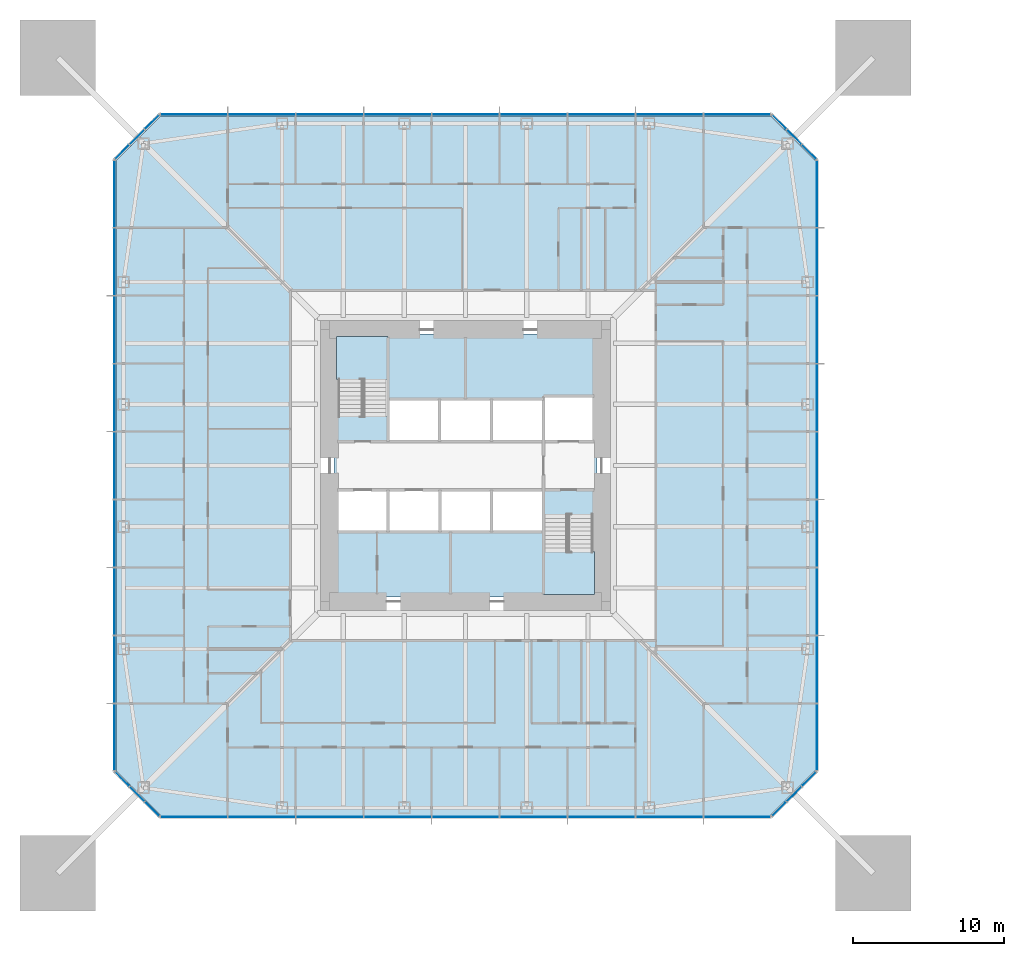
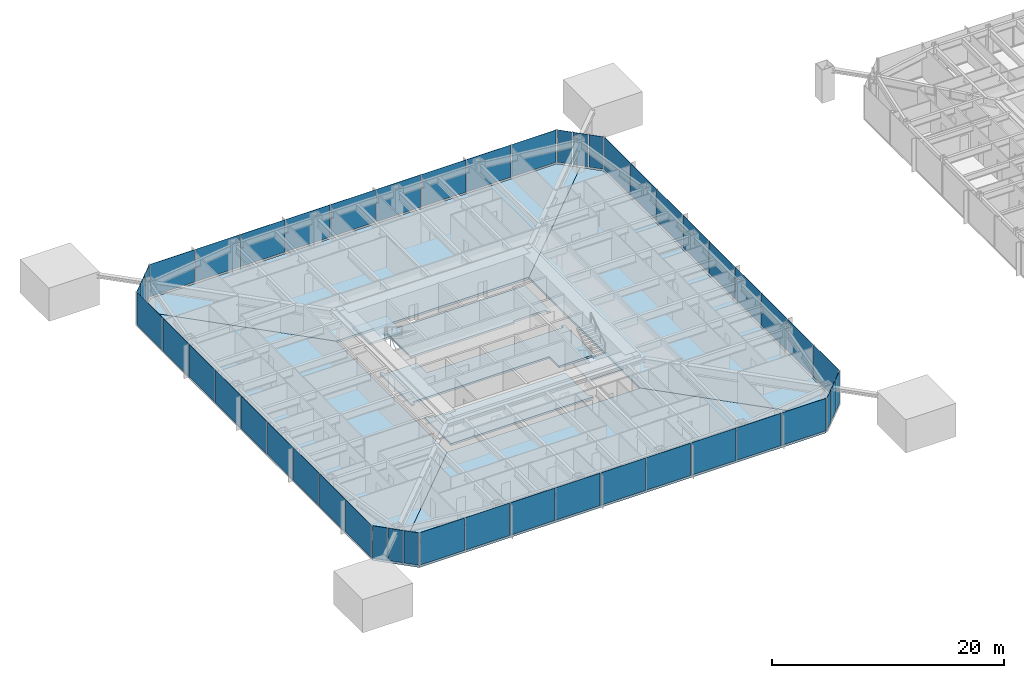
# One storey, part 12 of 26: 48 plates, 9 slabs, 10 elements without a shape of their own.
"""IFC4 building model written with IfcOpenShell, lengths in metres."""

from ifc_helpers import new_model, si_unit, direction, frame, origin, origin_2d, place, context, subcontext, project, spatial, polyline, rectangle, outline, extrude, material, layer, layer_set, constituent, constituent_set, type_object, element, aggregate, save


model = new_model("IFC4")

# Units and contexts
model_context = context("Model", 3, precision=1e-05, world=origin(), true_north=direction((0.0, 1.0)))
body_context = subcontext(model_context, "Body", "Model", "MODEL_VIEW")
ifc_project = project(units=[si_unit("LENGTHUNIT", "METRE"), si_unit("AREAUNIT", "SQUARE_METRE"), si_unit("VOLUMEUNIT", "CUBIC_METRE"), si_unit("PLANEANGLEUNIT", "RADIAN"), si_unit("MASSUNIT", "GRAM", prefix="KILO")], contexts=[model_context])

# Site, building, storey
site_placement = place(None, origin())
site = spatial("IfcSite", under=ifc_project, at=site_placement, CompositionType="ELEMENT")
building_placement = place(site_placement, origin())
building = spatial("IfcBuilding", under=site, at=building_placement, Name="Iwan Alto Co-Living Towers", CompositionType="ELEMENT")
storey_placement = place(building_placement, frame((0.0, 0.0, 32.5)))
storey = spatial("IfcBuildingStorey", under=building, at=storey_placement, Name="L08", CompositionType="ELEMENT", Elevation=32.5)

# Slabs
ifc_material_1 = material(Name="Concrete f'c 30 MPa", Category="concrete")
ifc_layer_1 = layer(ifc_material_1, 0.199951171875)
ifc_layer_set_1 = layer_set([ifc_layer_1], Name="CORE FLOOR SLAB 200")
slab_type_1 = type_object("IfcSlabType", Name="CORE FLOOR SLAB 200", PredefinedType="FLOOR", material=ifc_layer_set_1)
slab_1_placement = place(storey_placement, frame((0.0, 0.0, -0.199951171875)))
element("IfcSlab", 1, at=slab_1_placement, inside=storey, type_object=slab_type_1, Name="T1 core floor L08", PredefinedType="FLOOR", context=body_context, shape_type="SweptSolid", body=[
    extrude(outline(polyline([(8.699951171875, -3.580078125), (8.39990234375, -3.580078125), (8.39990234375, -3.27001953125), (5.14990234375, -3.27001953125), (5.14990234375, -1.60009765625), (1.72509765625, -1.60009765625), (-1.699951171875, -1.60009765625), (-5.125, -1.60009765625), (-8.39990234375, -1.60009765625), (-8.39990234375, -1.909912109375), (-8.699951171875, -1.909912109375), (-8.699951171875, 3.580078125), (-8.39990234375, 3.580078125), (-8.39990234375, 3.27001953125), (-5.14990234375, 3.27001953125), (-5.14990234375, 1.60009765625), (-1.717041015625, 1.60009765625), (1.717041015625, 1.60009765625), (5.14990234375, 1.60009765625), (8.39990234375, 1.60009765625), (8.39990234375, 1.909912109375), (8.699951171875, 1.909912109375), (8.699951171875, -3.580078125)])), origin(), (0.0, 0.0, 1.0), 0.199951171875),
])
slab_2_placement = place(storey_placement, frame((0.0, 0.0, -0.199951171875)))
element("IfcSlab", 2, at=slab_2_placement, inside=storey, type_object=slab_type_1, Name="T1 core floor L08", PredefinedType="FLOOR", context=body_context, shape_type="SweptSolid", body=[
    extrude(outline(polyline([(-1.699951171875, -4.39990234375), (1.72509765625, -4.39990234375), (5.14990234375, -4.39990234375), (5.14990234375, -8.39990234375), (5.4599609375, -8.39990234375), (5.4599609375, -8.699951171875), (-8.699951171875, -8.699951171875), (-8.699951171875, -4.090087890625), (-8.39990234375, -4.090087890625), (-8.39990234375, -4.39990234375), (-5.125, -4.39990234375), (-1.699951171875, -4.39990234375)])), origin(), (0.0, 0.0, 1.0), 0.199951171875),
])
slab_3_placement = place(storey_placement, frame((0.0, 0.0, -0.199951171875)))
element("IfcSlab", 3, at=slab_3_placement, inside=storey, type_object=slab_type_1, Name="T1 core floor L08", PredefinedType="FLOOR", context=body_context, shape_type="SweptSolid", body=[
    extrude(outline(polyline([(1.717041015625, 4.39990234375), (-1.717041015625, 4.39990234375), (-5.14990234375, 4.39990234375), (-5.14990234375, 8.39990234375), (-5.4599609375, 8.39990234375), (-5.4599609375, 8.699951171875), (8.699951171875, 8.699951171875), (8.699951171875, 4.2900390625), (8.39990234375, 4.2900390625), (8.39990234375, 4.60009765625), (5.14990234375, 4.60009765625), (5.14990234375, 4.39990234375), (1.717041015625, 4.39990234375)])), origin(), (0.0, 0.0, 1.0), 0.199951171875),
])

# Curtain wall, plates
ifc_material_2 = material(Name="Bronze aluminium unitised frame", Category="aluminium")
curtain_wall_type_1 = type_object("IfcCurtainWallType", Name="CURTAIN WALL CW-A", PredefinedType="NOTDEFINED", material=ifc_material_2)
curtain_wall_1_placement = place(storey_placement, origin())
curtain_wall_1 = element("IfcCurtainWall", 4, at=curtain_wall_1_placement, inside=storey, type_object=curtain_wall_type_1, Name="T1 curtain wall S L08", PredefinedType="NOTDEFINED")
ifc_material_3 = material(Name="Bronze-tinted insulating glass", Category="glass")
ifc_layer_2 = layer(ifc_material_3, 0.031982421875)
ifc_layer_set_2 = layer_set([ifc_layer_2], Name="CW-A PANEL TINTED IGU 32")
plate_type_1 = type_object("IfcPlateType", Name="CW-A PANEL TINTED IGU 32", PredefinedType="CURTAIN_PANEL", material=ifc_layer_set_2)
plate_1_placement = place(storey_placement, frame((-17.97998046875, -23.25, 0.10009765625), z_axis=(0.0, 0.0, 1.0), x_axis=(1.0, 0.0, 0.0)))
plate_1 = element("IfcPlate", 5, at=plate_1_placement, type_object=plate_type_1, Name="CW-A panel 1.1", PredefinedType="CURTAIN_PANEL", context=body_context, shape_type="SweptSolid", body=[
    extrude(rectangle(XDim=4.3798828125, YDim=0.031982421875, at=origin_2d()), origin(), (0.0, 0.0, 1.0), 3.39990234375),
])
plate_2_placement = place(storey_placement, frame((-13.5, -23.25, 0.10009765625), z_axis=(0.0, 0.0, 1.0), x_axis=(1.0, 0.0, 0.0)))
plate_2 = element("IfcPlate", 6, at=plate_2_placement, type_object=plate_type_1, Name="CW-A panel 2.1", PredefinedType="CURTAIN_PANEL", context=body_context, shape_type="SweptSolid", body=[
    extrude(rectangle(XDim=4.419921875, YDim=0.031982421875, at=origin_2d()), origin(), (0.0, 0.0, 1.0), 3.39990234375),
])
plate_3_placement = place(storey_placement, frame((-9.0, -23.25, 0.10009765625), z_axis=(0.0, 0.0, 1.0), x_axis=(1.0, 0.0, 0.0)))
plate_3 = element("IfcPlate", 7, at=plate_3_placement, type_object=plate_type_1, Name="CW-A panel 3.1", PredefinedType="CURTAIN_PANEL", context=body_context, shape_type="SweptSolid", body=[
    extrude(rectangle(XDim=4.419921875, YDim=0.031982421875, at=origin_2d()), origin(), (0.0, 0.0, 1.0), 3.39990234375),
])
plate_4_placement = place(storey_placement, frame((-4.5, -23.25, 0.10009765625), z_axis=(0.0, 0.0, 1.0), x_axis=(1.0, 0.0, 0.0)))
plate_4 = element("IfcPlate", 8, at=plate_4_placement, type_object=plate_type_1, Name="CW-A panel 4.1", PredefinedType="CURTAIN_PANEL", context=body_context, shape_type="SweptSolid", body=[
    extrude(rectangle(XDim=4.419921875, YDim=0.031982421875, at=origin_2d()), origin(), (0.0, 0.0, 1.0), 3.39990234375),
])
plate_5_placement = place(storey_placement, frame((0.0, -23.25, 0.10009765625), z_axis=(0.0, 0.0, 1.0), x_axis=(1.0, 0.0, 0.0)))
plate_5 = element("IfcPlate", 9, at=plate_5_placement, type_object=plate_type_1, Name="CW-A panel 5.1", PredefinedType="CURTAIN_PANEL", context=body_context, shape_type="SweptSolid", body=[
    extrude(rectangle(XDim=4.419921875, YDim=0.031982421875, at=origin_2d()), origin(), (0.0, 0.0, 1.0), 3.39990234375),
])
plate_6_placement = place(storey_placement, frame((4.5, -23.25, 0.10009765625), z_axis=(0.0, 0.0, 1.0), x_axis=(1.0, 0.0, 0.0)))
plate_6 = element("IfcPlate", 10, at=plate_6_placement, type_object=plate_type_1, Name="CW-A panel 6.1", PredefinedType="CURTAIN_PANEL", context=body_context, shape_type="SweptSolid", body=[
    extrude(rectangle(XDim=4.419921875, YDim=0.031982421875, at=origin_2d()), origin(), (0.0, 0.0, 1.0), 3.39990234375),
])
plate_7_placement = place(storey_placement, frame((9.0, -23.25, 0.10009765625), z_axis=(0.0, 0.0, 1.0), x_axis=(1.0, 0.0, 0.0)))
plate_7 = element("IfcPlate", 11, at=plate_7_placement, type_object=plate_type_1, Name="CW-A panel 7.1", PredefinedType="CURTAIN_PANEL", context=body_context, shape_type="SweptSolid", body=[
    extrude(rectangle(XDim=4.419921875, YDim=0.031982421875, at=origin_2d()), origin(), (0.0, 0.0, 1.0), 3.39990234375),
])
plate_8_placement = place(storey_placement, frame((13.5, -23.25, 0.10009765625), z_axis=(0.0, 0.0, 1.0), x_axis=(1.0, 0.0, 0.0)))
plate_8 = element("IfcPlate", 12, at=plate_8_placement, type_object=plate_type_1, Name="CW-A panel 8.1", PredefinedType="CURTAIN_PANEL", context=body_context, shape_type="SweptSolid", body=[
    extrude(rectangle(XDim=4.419921875, YDim=0.031982421875, at=origin_2d()), origin(), (0.0, 0.0, 1.0), 3.39990234375),
])
plate_9_placement = place(storey_placement, frame((17.97998046875, -23.25, 0.10009765625), z_axis=(0.0, 0.0, 1.0), x_axis=(1.0, 0.0, 0.0)))
plate_9 = element("IfcPlate", 13, at=plate_9_placement, type_object=plate_type_1, Name="CW-A panel 9.1", PredefinedType="CURTAIN_PANEL", context=body_context, shape_type="SweptSolid", body=[
    extrude(rectangle(XDim=4.3798828125, YDim=0.031982421875, at=origin_2d()), origin(), (0.0, 0.0, 1.0), 3.39990234375),
])
aggregate(curtain_wall_1, [plate_1, plate_2, plate_3, plate_4, plate_5, plate_6, plate_7, plate_8, plate_9])

curtain_wall_2_placement = place(storey_placement, origin())
curtain_wall_2 = element("IfcCurtainWall", 14, at=curtain_wall_2_placement, inside=storey, type_object=curtain_wall_type_1, Name="T1 curtain wall E L08", PredefinedType="NOTDEFINED")
plate_10_placement = place(storey_placement, frame((23.25, -17.97998046875, 0.10009765625), z_axis=(0.0, 0.0, 1.0), x_axis=(0.0, 1.0, 0.0)))
plate_10 = element("IfcPlate", 15, at=plate_10_placement, type_object=plate_type_1, Name="CW-A panel 1.1", PredefinedType="CURTAIN_PANEL", context=body_context, shape_type="SweptSolid", body=[
    extrude(rectangle(XDim=4.3798828125, YDim=0.031982421875, at=origin_2d()), origin(), (0.0, 0.0, 1.0), 3.39990234375),
])
plate_11_placement = place(storey_placement, frame((23.25, -13.5, 0.10009765625), z_axis=(0.0, 0.0, 1.0), x_axis=(0.0, 1.0, 0.0)))
plate_11 = element("IfcPlate", 16, at=plate_11_placement, type_object=plate_type_1, Name="CW-A panel 2.1", PredefinedType="CURTAIN_PANEL", context=body_context, shape_type="SweptSolid", body=[
    extrude(rectangle(XDim=4.419921875, YDim=0.031982421875, at=origin_2d()), origin(), (0.0, 0.0, 1.0), 3.39990234375),
])
plate_12_placement = place(storey_placement, frame((23.25, -9.0, 0.10009765625), z_axis=(0.0, 0.0, 1.0), x_axis=(0.0, 1.0, 0.0)))
plate_12 = element("IfcPlate", 17, at=plate_12_placement, type_object=plate_type_1, Name="CW-A panel 3.1", PredefinedType="CURTAIN_PANEL", context=body_context, shape_type="SweptSolid", body=[
    extrude(rectangle(XDim=4.419921875, YDim=0.031982421875, at=origin_2d()), origin(), (0.0, 0.0, 1.0), 3.39990234375),
])
plate_13_placement = place(storey_placement, frame((23.25, -4.5, 0.10009765625), z_axis=(0.0, 0.0, 1.0), x_axis=(0.0, 1.0, 0.0)))
plate_13 = element("IfcPlate", 18, at=plate_13_placement, type_object=plate_type_1, Name="CW-A panel 4.1", PredefinedType="CURTAIN_PANEL", context=body_context, shape_type="SweptSolid", body=[
    extrude(rectangle(XDim=4.419921875, YDim=0.031982421875, at=origin_2d()), origin(), (0.0, 0.0, 1.0), 3.39990234375),
])
plate_14_placement = place(storey_placement, frame((23.25, 0.0, 0.10009765625), z_axis=(0.0, 0.0, 1.0), x_axis=(0.0, 1.0, 0.0)))
plate_14 = element("IfcPlate", 19, at=plate_14_placement, type_object=plate_type_1, Name="CW-A panel 5.1", PredefinedType="CURTAIN_PANEL", context=body_context, shape_type="SweptSolid", body=[
    extrude(rectangle(XDim=4.419921875, YDim=0.031982421875, at=origin_2d()), origin(), (0.0, 0.0, 1.0), 3.39990234375),
])
plate_15_placement = place(storey_placement, frame((23.25, 4.5, 0.10009765625), z_axis=(0.0, 0.0, 1.0), x_axis=(0.0, 1.0, 0.0)))
plate_15 = element("IfcPlate", 20, at=plate_15_placement, type_object=plate_type_1, Name="CW-A panel 6.1", PredefinedType="CURTAIN_PANEL", context=body_context, shape_type="SweptSolid", body=[
    extrude(rectangle(XDim=4.419921875, YDim=0.031982421875, at=origin_2d()), origin(), (0.0, 0.0, 1.0), 3.39990234375),
])
plate_16_placement = place(storey_placement, frame((23.25, 9.0, 0.10009765625), z_axis=(0.0, 0.0, 1.0), x_axis=(0.0, 1.0, 0.0)))
plate_16 = element("IfcPlate", 21, at=plate_16_placement, type_object=plate_type_1, Name="CW-A panel 7.1", PredefinedType="CURTAIN_PANEL", context=body_context, shape_type="SweptSolid", body=[
    extrude(rectangle(XDim=4.419921875, YDim=0.031982421875, at=origin_2d()), origin(), (0.0, 0.0, 1.0), 3.39990234375),
])
plate_17_placement = place(storey_placement, frame((23.25, 13.5, 0.10009765625), z_axis=(0.0, 0.0, 1.0), x_axis=(0.0, 1.0, 0.0)))
plate_17 = element("IfcPlate", 22, at=plate_17_placement, type_object=plate_type_1, Name="CW-A panel 8.1", PredefinedType="CURTAIN_PANEL", context=body_context, shape_type="SweptSolid", body=[
    extrude(rectangle(XDim=4.419921875, YDim=0.031982421875, at=origin_2d()), origin(), (0.0, 0.0, 1.0), 3.39990234375),
])
plate_18_placement = place(storey_placement, frame((23.25, 17.97998046875, 0.10009765625), z_axis=(0.0, 0.0, 1.0), x_axis=(0.0, 1.0, 0.0)))
plate_18 = element("IfcPlate", 23, at=plate_18_placement, type_object=plate_type_1, Name="CW-A panel 9.1", PredefinedType="CURTAIN_PANEL", context=body_context, shape_type="SweptSolid", body=[
    extrude(rectangle(XDim=4.3798828125, YDim=0.031982421875, at=origin_2d()), origin(), (0.0, 0.0, 1.0), 3.39990234375),
])
aggregate(curtain_wall_2, [plate_10, plate_11, plate_12, plate_13, plate_14, plate_15, plate_16, plate_17, plate_18])

curtain_wall_3_placement = place(storey_placement, origin())
curtain_wall_3 = element("IfcCurtainWall", 24, at=curtain_wall_3_placement, inside=storey, type_object=curtain_wall_type_1, Name="T1 curtain wall N L08", PredefinedType="NOTDEFINED")
plate_19_placement = place(storey_placement, frame((17.97998046875, 23.25, 0.10009765625), z_axis=(0.0, 0.0, 1.0), x_axis=(-1.0, 0.0, 0.0)))
plate_19 = element("IfcPlate", 25, at=plate_19_placement, type_object=plate_type_1, Name="CW-A panel 1.1", PredefinedType="CURTAIN_PANEL", context=body_context, shape_type="SweptSolid", body=[
    extrude(rectangle(XDim=4.3798828125, YDim=0.031982421875, at=origin_2d()), origin(), (0.0, 0.0, 1.0), 3.39990234375),
])
plate_20_placement = place(storey_placement, frame((13.5, 23.25, 0.10009765625), z_axis=(0.0, 0.0, 1.0), x_axis=(-1.0, 0.0, 0.0)))
plate_20 = element("IfcPlate", 26, at=plate_20_placement, type_object=plate_type_1, Name="CW-A panel 2.1", PredefinedType="CURTAIN_PANEL", context=body_context, shape_type="SweptSolid", body=[
    extrude(rectangle(XDim=4.419921875, YDim=0.031982421875, at=origin_2d()), origin(), (0.0, 0.0, 1.0), 3.39990234375),
])
plate_21_placement = place(storey_placement, frame((9.0, 23.25, 0.10009765625), z_axis=(0.0, 0.0, 1.0), x_axis=(-1.0, 0.0, 0.0)))
plate_21 = element("IfcPlate", 27, at=plate_21_placement, type_object=plate_type_1, Name="CW-A panel 3.1", PredefinedType="CURTAIN_PANEL", context=body_context, shape_type="SweptSolid", body=[
    extrude(rectangle(XDim=4.419921875, YDim=0.031982421875, at=origin_2d()), origin(), (0.0, 0.0, 1.0), 3.39990234375),
])
plate_22_placement = place(storey_placement, frame((4.5, 23.25, 0.10009765625), z_axis=(0.0, 0.0, 1.0), x_axis=(-1.0, 0.0, 0.0)))
plate_22 = element("IfcPlate", 28, at=plate_22_placement, type_object=plate_type_1, Name="CW-A panel 4.1", PredefinedType="CURTAIN_PANEL", context=body_context, shape_type="SweptSolid", body=[
    extrude(rectangle(XDim=4.419921875, YDim=0.031982421875, at=origin_2d()), origin(), (0.0, 0.0, 1.0), 3.39990234375),
])
plate_23_placement = place(storey_placement, frame((0.0, 23.25, 0.10009765625), z_axis=(0.0, 0.0, 1.0), x_axis=(-1.0, 0.0, 0.0)))
plate_23 = element("IfcPlate", 29, at=plate_23_placement, type_object=plate_type_1, Name="CW-A panel 5.1", PredefinedType="CURTAIN_PANEL", context=body_context, shape_type="SweptSolid", body=[
    extrude(rectangle(XDim=4.419921875, YDim=0.031982421875, at=origin_2d()), origin(), (0.0, 0.0, 1.0), 3.39990234375),
])
plate_24_placement = place(storey_placement, frame((-4.5, 23.25, 0.10009765625), z_axis=(0.0, 0.0, 1.0), x_axis=(-1.0, 0.0, 0.0)))
plate_24 = element("IfcPlate", 30, at=plate_24_placement, type_object=plate_type_1, Name="CW-A panel 6.1", PredefinedType="CURTAIN_PANEL", context=body_context, shape_type="SweptSolid", body=[
    extrude(rectangle(XDim=4.419921875, YDim=0.031982421875, at=origin_2d()), origin(), (0.0, 0.0, 1.0), 3.39990234375),
])
plate_25_placement = place(storey_placement, frame((-9.0, 23.25, 0.10009765625), z_axis=(0.0, 0.0, 1.0), x_axis=(-1.0, 0.0, 0.0)))
plate_25 = element("IfcPlate", 31, at=plate_25_placement, type_object=plate_type_1, Name="CW-A panel 7.1", PredefinedType="CURTAIN_PANEL", context=body_context, shape_type="SweptSolid", body=[
    extrude(rectangle(XDim=4.419921875, YDim=0.031982421875, at=origin_2d()), origin(), (0.0, 0.0, 1.0), 3.39990234375),
])
plate_26_placement = place(storey_placement, frame((-13.5, 23.25, 0.10009765625), z_axis=(0.0, 0.0, 1.0), x_axis=(-1.0, 0.0, 0.0)))
plate_26 = element("IfcPlate", 32, at=plate_26_placement, type_object=plate_type_1, Name="CW-A panel 8.1", PredefinedType="CURTAIN_PANEL", context=body_context, shape_type="SweptSolid", body=[
    extrude(rectangle(XDim=4.419921875, YDim=0.031982421875, at=origin_2d()), origin(), (0.0, 0.0, 1.0), 3.39990234375),
])
plate_27_placement = place(storey_placement, frame((-17.97998046875, 23.25, 0.10009765625), z_axis=(0.0, 0.0, 1.0), x_axis=(-1.0, 0.0, 0.0)))
plate_27 = element("IfcPlate", 33, at=plate_27_placement, type_object=plate_type_1, Name="CW-A panel 9.1", PredefinedType="CURTAIN_PANEL", context=body_context, shape_type="SweptSolid", body=[
    extrude(rectangle(XDim=4.3798828125, YDim=0.031982421875, at=origin_2d()), origin(), (0.0, 0.0, 1.0), 3.39990234375),
])
aggregate(curtain_wall_3, [plate_19, plate_20, plate_21, plate_22, plate_23, plate_24, plate_25, plate_26, plate_27])

curtain_wall_4_placement = place(storey_placement, origin())
curtain_wall_4 = element("IfcCurtainWall", 34, at=curtain_wall_4_placement, inside=storey, type_object=curtain_wall_type_1, Name="T1 curtain wall W L08", PredefinedType="NOTDEFINED")
plate_28_placement = place(storey_placement, frame((-23.25, 17.97998046875, 0.10009765625), z_axis=(0.0, 0.0, 1.0), x_axis=(0.0, -1.0, 0.0)))
plate_28 = element("IfcPlate", 35, at=plate_28_placement, type_object=plate_type_1, Name="CW-A panel 1.1", PredefinedType="CURTAIN_PANEL", context=body_context, shape_type="SweptSolid", body=[
    extrude(rectangle(XDim=4.3798828125, YDim=0.031982421875, at=origin_2d()), origin(), (0.0, 0.0, 1.0), 3.39990234375),
])
plate_29_placement = place(storey_placement, frame((-23.25, 13.5, 0.10009765625), z_axis=(0.0, 0.0, 1.0), x_axis=(0.0, -1.0, 0.0)))
plate_29 = element("IfcPlate", 36, at=plate_29_placement, type_object=plate_type_1, Name="CW-A panel 2.1", PredefinedType="CURTAIN_PANEL", context=body_context, shape_type="SweptSolid", body=[
    extrude(rectangle(XDim=4.419921875, YDim=0.031982421875, at=origin_2d()), origin(), (0.0, 0.0, 1.0), 3.39990234375),
])
plate_30_placement = place(storey_placement, frame((-23.25, 9.0, 0.10009765625), z_axis=(0.0, 0.0, 1.0), x_axis=(0.0, -1.0, 0.0)))
plate_30 = element("IfcPlate", 37, at=plate_30_placement, type_object=plate_type_1, Name="CW-A panel 3.1", PredefinedType="CURTAIN_PANEL", context=body_context, shape_type="SweptSolid", body=[
    extrude(rectangle(XDim=4.419921875, YDim=0.031982421875, at=origin_2d()), origin(), (0.0, 0.0, 1.0), 3.39990234375),
])
plate_31_placement = place(storey_placement, frame((-23.25, 4.5, 0.10009765625), z_axis=(0.0, 0.0, 1.0), x_axis=(0.0, -1.0, 0.0)))
plate_31 = element("IfcPlate", 38, at=plate_31_placement, type_object=plate_type_1, Name="CW-A panel 4.1", PredefinedType="CURTAIN_PANEL", context=body_context, shape_type="SweptSolid", body=[
    extrude(rectangle(XDim=4.419921875, YDim=0.031982421875, at=origin_2d()), origin(), (0.0, 0.0, 1.0), 3.39990234375),
])
plate_32_placement = place(storey_placement, frame((-23.25, 0.0, 0.10009765625), z_axis=(0.0, 0.0, 1.0), x_axis=(0.0, -1.0, 0.0)))
plate_32 = element("IfcPlate", 39, at=plate_32_placement, type_object=plate_type_1, Name="CW-A panel 5.1", PredefinedType="CURTAIN_PANEL", context=body_context, shape_type="SweptSolid", body=[
    extrude(rectangle(XDim=4.419921875, YDim=0.031982421875, at=origin_2d()), origin(), (0.0, 0.0, 1.0), 3.39990234375),
])
plate_33_placement = place(storey_placement, frame((-23.25, -4.5, 0.10009765625), z_axis=(0.0, 0.0, 1.0), x_axis=(0.0, -1.0, 0.0)))
plate_33 = element("IfcPlate", 40, at=plate_33_placement, type_object=plate_type_1, Name="CW-A panel 6.1", PredefinedType="CURTAIN_PANEL", context=body_context, shape_type="SweptSolid", body=[
    extrude(rectangle(XDim=4.419921875, YDim=0.031982421875, at=origin_2d()), origin(), (0.0, 0.0, 1.0), 3.39990234375),
])
plate_34_placement = place(storey_placement, frame((-23.25, -9.0, 0.10009765625), z_axis=(0.0, 0.0, 1.0), x_axis=(0.0, -1.0, 0.0)))
plate_34 = element("IfcPlate", 41, at=plate_34_placement, type_object=plate_type_1, Name="CW-A panel 7.1", PredefinedType="CURTAIN_PANEL", context=body_context, shape_type="SweptSolid", body=[
    extrude(rectangle(XDim=4.419921875, YDim=0.031982421875, at=origin_2d()), origin(), (0.0, 0.0, 1.0), 3.39990234375),
])
plate_35_placement = place(storey_placement, frame((-23.25, -13.5, 0.10009765625), z_axis=(0.0, 0.0, 1.0), x_axis=(0.0, -1.0, 0.0)))
plate_35 = element("IfcPlate", 42, at=plate_35_placement, type_object=plate_type_1, Name="CW-A panel 8.1", PredefinedType="CURTAIN_PANEL", context=body_context, shape_type="SweptSolid", body=[
    extrude(rectangle(XDim=4.419921875, YDim=0.031982421875, at=origin_2d()), origin(), (0.0, 0.0, 1.0), 3.39990234375),
])
plate_36_placement = place(storey_placement, frame((-23.25, -17.97998046875, 0.10009765625), z_axis=(0.0, 0.0, 1.0), x_axis=(0.0, -1.0, 0.0)))
plate_36 = element("IfcPlate", 43, at=plate_36_placement, type_object=plate_type_1, Name="CW-A panel 9.1", PredefinedType="CURTAIN_PANEL", context=body_context, shape_type="SweptSolid", body=[
    extrude(rectangle(XDim=4.3798828125, YDim=0.031982421875, at=origin_2d()), origin(), (0.0, 0.0, 1.0), 3.39990234375),
])
aggregate(curtain_wall_4, [plate_28, plate_29, plate_30, plate_31, plate_32, plate_33, plate_34, plate_35, plate_36])

ifc_material_4 = material(Name="Bronze aluminium unitised frame", Category="aluminium")
curtain_wall_type_2 = type_object("IfcCurtainWallType", Name="CURTAIN WALL CW-B", PredefinedType="NOTDEFINED", material=ifc_material_4)
curtain_wall_5_placement = place(storey_placement, origin())
curtain_wall_5 = element("IfcCurtainWall", 44, at=curtain_wall_5_placement, inside=storey, type_object=curtain_wall_type_2, Name="T1 chamfer curtain wall SE L08", PredefinedType="NOTDEFINED")
ifc_material_5 = material(Name="Bronze-tinted insulating glass", Category="glass")
ifc_layer_3 = layer(ifc_material_5, 0.031982421875)
ifc_layer_set_3 = layer_set([ifc_layer_3], Name="CW-B PANEL TINTED IGU 32")
plate_type_2 = type_object("IfcPlateType", Name="CW-B PANEL TINTED IGU 32", PredefinedType="CURTAIN_PANEL", material=ifc_layer_set_3)
plate_37_placement = place(storey_placement, frame((20.76416015625, -22.73583984375, 0.10009765625), z_axis=(0.0, 0.0, 1.0), x_axis=(0.707106781187, 0.707106781187, 0.0)))
plate_37 = element("IfcPlate", 45, at=plate_37_placement, type_object=plate_type_2, Name="CW-B panel 1.1", PredefinedType="CURTAIN_PANEL", context=body_context, shape_type="SweptSolid", body=[
    extrude(rectangle(XDim=1.294189453125, YDim=0.031982421875, at=origin_2d()), origin(), (0.0, 0.0, 1.0), 3.39990234375),
])
plate_38_placement = place(storey_placement, frame((21.75, -21.75, 0.10009765625), z_axis=(0.0, 0.0, 1.0), x_axis=(0.707106781187, 0.707106781187, 0.0)))
plate_38 = element("IfcPlate", 46, at=plate_38_placement, type_object=plate_type_2, Name="CW-B panel 2.1", PredefinedType="CURTAIN_PANEL", context=body_context, shape_type="SweptSolid", body=[
    extrude(rectangle(XDim=1.334228515625, YDim=0.031982421875, at=origin_2d()), origin(), (0.0, 0.0, 1.0), 3.39990234375),
])
plate_39_placement = place(storey_placement, frame((22.73583984375, -20.76416015625, 0.10009765625), z_axis=(0.0, 0.0, 1.0), x_axis=(0.707106781187, 0.707106781187, 0.0)))
plate_39 = element("IfcPlate", 47, at=plate_39_placement, type_object=plate_type_2, Name="CW-B panel 3.1", PredefinedType="CURTAIN_PANEL", context=body_context, shape_type="SweptSolid", body=[
    extrude(rectangle(XDim=1.294189453125, YDim=0.031982421875, at=origin_2d()), origin(), (0.0, 0.0, 1.0), 3.39990234375),
])
aggregate(curtain_wall_5, [plate_37, plate_38, plate_39])

curtain_wall_6_placement = place(storey_placement, origin())
curtain_wall_6 = element("IfcCurtainWall", 48, at=curtain_wall_6_placement, inside=storey, type_object=curtain_wall_type_2, Name="T1 chamfer curtain wall NE L08", PredefinedType="NOTDEFINED")
plate_40_placement = place(storey_placement, frame((22.73583984375, 20.76416015625, 0.10009765625), z_axis=(0.0, 0.0, 1.0), x_axis=(-0.707106781187, 0.707106781187, 0.0)))
plate_40 = element("IfcPlate", 49, at=plate_40_placement, type_object=plate_type_2, Name="CW-B panel 1.1", PredefinedType="CURTAIN_PANEL", context=body_context, shape_type="SweptSolid", body=[
    extrude(rectangle(XDim=1.294189453125, YDim=0.031982421875, at=origin_2d()), origin(), (0.0, 0.0, 1.0), 3.39990234375),
])
plate_41_placement = place(storey_placement, frame((21.75, 21.75, 0.10009765625), z_axis=(0.0, 0.0, 1.0), x_axis=(-0.707106781187, 0.707106781187, 0.0)))
plate_41 = element("IfcPlate", 50, at=plate_41_placement, type_object=plate_type_2, Name="CW-B panel 2.1", PredefinedType="CURTAIN_PANEL", context=body_context, shape_type="SweptSolid", body=[
    extrude(rectangle(XDim=1.334228515625, YDim=0.031982421875, at=origin_2d()), origin(), (0.0, 0.0, 1.0), 3.39990234375),
])
plate_42_placement = place(storey_placement, frame((20.76416015625, 22.73583984375, 0.10009765625), z_axis=(0.0, 0.0, 1.0), x_axis=(-0.707106781187, 0.707106781187, 0.0)))
plate_42 = element("IfcPlate", 51, at=plate_42_placement, type_object=plate_type_2, Name="CW-B panel 3.1", PredefinedType="CURTAIN_PANEL", context=body_context, shape_type="SweptSolid", body=[
    extrude(rectangle(XDim=1.294189453125, YDim=0.031982421875, at=origin_2d()), origin(), (0.0, 0.0, 1.0), 3.39990234375),
])
aggregate(curtain_wall_6, [plate_40, plate_41, plate_42])

curtain_wall_7_placement = place(storey_placement, origin())
curtain_wall_7 = element("IfcCurtainWall", 52, at=curtain_wall_7_placement, inside=storey, type_object=curtain_wall_type_2, Name="T1 chamfer curtain wall NW L08", PredefinedType="NOTDEFINED")
plate_43_placement = place(storey_placement, frame((-20.76416015625, 22.73583984375, 0.10009765625), z_axis=(0.0, 0.0, 1.0), x_axis=(-0.707106781187, -0.707106781187, 0.0)))
plate_43 = element("IfcPlate", 53, at=plate_43_placement, type_object=plate_type_2, Name="CW-B panel 1.1", PredefinedType="CURTAIN_PANEL", context=body_context, shape_type="SweptSolid", body=[
    extrude(rectangle(XDim=1.294189453125, YDim=0.031982421875, at=origin_2d()), origin(), (0.0, 0.0, 1.0), 3.39990234375),
])
plate_44_placement = place(storey_placement, frame((-21.75, 21.75, 0.10009765625), z_axis=(0.0, 0.0, 1.0), x_axis=(-0.707106781187, -0.707106781187, 0.0)))
plate_44 = element("IfcPlate", 54, at=plate_44_placement, type_object=plate_type_2, Name="CW-B panel 2.1", PredefinedType="CURTAIN_PANEL", context=body_context, shape_type="SweptSolid", body=[
    extrude(rectangle(XDim=1.334228515625, YDim=0.031982421875, at=origin_2d()), origin(), (0.0, 0.0, 1.0), 3.39990234375),
])
plate_45_placement = place(storey_placement, frame((-22.73583984375, 20.76416015625, 0.10009765625), z_axis=(0.0, 0.0, 1.0), x_axis=(-0.707106781187, -0.707106781187, 0.0)))
plate_45 = element("IfcPlate", 55, at=plate_45_placement, type_object=plate_type_2, Name="CW-B panel 3.1", PredefinedType="CURTAIN_PANEL", context=body_context, shape_type="SweptSolid", body=[
    extrude(rectangle(XDim=1.294189453125, YDim=0.031982421875, at=origin_2d()), origin(), (0.0, 0.0, 1.0), 3.39990234375),
])
aggregate(curtain_wall_7, [plate_43, plate_44, plate_45])

curtain_wall_8_placement = place(storey_placement, origin())
curtain_wall_8 = element("IfcCurtainWall", 56, at=curtain_wall_8_placement, inside=storey, type_object=curtain_wall_type_2, Name="T1 chamfer curtain wall SW L08", PredefinedType="NOTDEFINED")
plate_46_placement = place(storey_placement, frame((-22.73583984375, -20.76416015625, 0.10009765625), z_axis=(0.0, 0.0, 1.0), x_axis=(0.707106781187, -0.707106781187, 0.0)))
plate_46 = element("IfcPlate", 57, at=plate_46_placement, type_object=plate_type_2, Name="CW-B panel 1.1", PredefinedType="CURTAIN_PANEL", context=body_context, shape_type="SweptSolid", body=[
    extrude(rectangle(XDim=1.294189453125, YDim=0.031982421875, at=origin_2d()), origin(), (0.0, 0.0, 1.0), 3.39990234375),
])
plate_47_placement = place(storey_placement, frame((-21.75, -21.75, 0.10009765625), z_axis=(0.0, 0.0, 1.0), x_axis=(0.707106781187, -0.707106781187, 0.0)))
plate_47 = element("IfcPlate", 58, at=plate_47_placement, type_object=plate_type_2, Name="CW-B panel 2.1", PredefinedType="CURTAIN_PANEL", context=body_context, shape_type="SweptSolid", body=[
    extrude(rectangle(XDim=1.334228515625, YDim=0.031982421875, at=origin_2d()), origin(), (0.0, 0.0, 1.0), 3.39990234375),
])
plate_48_placement = place(storey_placement, frame((-20.76416015625, -22.73583984375, 0.10009765625), z_axis=(0.0, 0.0, 1.0), x_axis=(0.707106781187, -0.707106781187, 0.0)))
plate_48 = element("IfcPlate", 59, at=plate_48_placement, type_object=plate_type_2, Name="CW-B panel 3.1", PredefinedType="CURTAIN_PANEL", context=body_context, shape_type="SweptSolid", body=[
    extrude(rectangle(XDim=1.294189453125, YDim=0.031982421875, at=origin_2d()), origin(), (0.0, 0.0, 1.0), 3.39990234375),
])
aggregate(curtain_wall_8, [plate_46, plate_47, plate_48])

# Stair, slab
ifc_material_6 = material(Name="Steel ASTM A36", Category="steel")
ifc_constituent_1 = constituent(ifc_material_6, Name="Stringers", Category="LoadBearing")
ifc_material_7 = material(Name="Concrete f'c 30 MPa", Category="concrete")
ifc_constituent_2 = constituent(ifc_material_7, Name="Tread fill", Category="Finish")
ifc_constituent_set = constituent_set(constituents=[ifc_constituent_1, ifc_constituent_2], Name="STAIR 3500 TWO-FLIGHT T1 CORE")
stair_type = type_object("IfcStairType", Name="STAIR 3500 TWO-FLIGHT T1 CORE", PredefinedType="HALF_TURN_STAIR", material=ifc_constituent_set)
stair_1_placement = place(storey_placement, origin())
stair_1 = element("IfcStair", 60, at=stair_1_placement, inside=storey, type_object=stair_type, Name="Stair T1-S1 L08 to L09", PredefinedType="HALF_TURN_STAIR")
ifc_material_8 = material(Name="Concrete f'c 30 MPa", Category="concrete")
ifc_layer_4 = layer(ifc_material_8, 0.199951171875)
ifc_layer_set_4 = layer_set([ifc_layer_4], Name="STAIR LANDING 200")
slab_type_2 = type_object("IfcSlabType", Name="STAIR LANDING 200", PredefinedType="LANDING", material=ifc_layer_set_4)
slab_4_placement = place(storey_placement, frame((0.0, 0.0, 1.550048828125)))
slab_4 = element("IfcSlab", 61, at=slab_4_placement, type_object=slab_type_2, Name="T1-S1 landing 1", PredefinedType="LANDING", context=body_context, shape_type="SweptSolid", body=[
    extrude(outline(polyline([(-8.550048828125, 5.68994140625), (-8.550048828125, 8.550048828125), (-5.14990234375, 8.550048828125), (-5.14990234375, 5.68994140625), (-8.550048828125, 5.68994140625)])), origin(), (0.0, 0.0, 1.0), 0.199951171875),
])
aggregate(stair_1, [slab_4])

stair_2_placement = place(storey_placement, origin())
stair_2 = element("IfcStair", 62, at=stair_2_placement, inside=storey, type_object=stair_type, Name="Stair T1-S2 L08 to L09", PredefinedType="HALF_TURN_STAIR")
slab_5_placement = place(storey_placement, frame((0.0, 0.0, 1.550048828125)))
slab_5 = element("IfcSlab", 63, at=slab_5_placement, type_object=slab_type_2, Name="T1-S2 landing 1", PredefinedType="LANDING", context=body_context, shape_type="SweptSolid", body=[
    extrude(outline(polyline([(5.14990234375, -5.68994140625), (5.14990234375, -8.550048828125), (8.550048828125, -8.550048828125), (8.550048828125, -5.68994140625), (5.14990234375, -5.68994140625)])), origin(), (0.0, 0.0, 1.0), 0.199951171875),
])
aggregate(stair_2, [slab_5])

# Slabs
ifc_material_9 = material(Name="Concrete f'c 30 MPa", Category="concrete")
ifc_layer_5 = layer(ifc_material_9, 0.22998046875)
ifc_layer_set_5 = layer_set([ifc_layer_5], Name="T1 FLOOR SLAB 230")
slab_type_3 = type_object("IfcSlabType", Name="T1 FLOOR SLAB 230", PredefinedType="FLOOR", material=ifc_layer_set_5)
slab_6_placement = place(storey_placement, frame((0.0, 0.0, -0.22998046875)))
element("IfcSlab", 64, at=slab_6_placement, inside=storey, type_object=slab_type_3, Name="T1 floor slab L08 S pour", PredefinedType="FLOOR", context=body_context, shape_type="SweptSolid", body=[
    extrude(outline(polyline([(20.19140625, -23.14990234375), (-20.19140625, -23.14990234375), (-21.670654296875, -21.670654296875), (-9.60009765625, -9.60009765625), (9.60009765625, -9.60009765625), (21.670654296875, -21.670654296875), (20.19140625, -23.14990234375)])), origin(), (0.0, 0.0, 1.0), 0.22998046875),
])
slab_7_placement = place(storey_placement, frame((0.0, 0.0, -0.22998046875)))
element("IfcSlab", 65, at=slab_7_placement, inside=storey, type_object=slab_type_3, Name="T1 floor slab L08 E pour", PredefinedType="FLOOR", context=body_context, shape_type="SweptSolid", body=[
    extrude(outline(polyline([(23.14990234375, 20.19140625), (23.14990234375, -20.19140625), (21.670654296875, -21.670654296875), (9.60009765625, -9.60009765625), (9.60009765625, 9.60009765625), (21.670654296875, 21.670654296875), (23.14990234375, 20.19140625)])), origin(), (0.0, 0.0, 1.0), 0.22998046875),
])
slab_8_placement = place(storey_placement, frame((0.0, 0.0, -0.22998046875)))
element("IfcSlab", 66, at=slab_8_placement, inside=storey, type_object=slab_type_3, Name="T1 floor slab L08 N pour", PredefinedType="FLOOR", context=body_context, shape_type="SweptSolid", body=[
    extrude(outline(polyline([(-20.19140625, 23.14990234375), (20.19140625, 23.14990234375), (21.670654296875, 21.670654296875), (9.60009765625, 9.60009765625), (-9.60009765625, 9.60009765625), (-21.670654296875, 21.670654296875), (-20.19140625, 23.14990234375)])), origin(), (0.0, 0.0, 1.0), 0.22998046875),
])
slab_9_placement = place(storey_placement, frame((0.0, 0.0, -0.22998046875)))
element("IfcSlab", 67, at=slab_9_placement, inside=storey, type_object=slab_type_3, Name="T1 floor slab L08 W pour", PredefinedType="FLOOR", context=body_context, shape_type="SweptSolid", body=[
    extrude(outline(polyline([(-23.14990234375, 20.19140625), (-21.670654296875, 21.670654296875), (-9.60009765625, 9.60009765625), (-9.60009765625, -9.60009765625), (-21.670654296875, -21.670654296875), (-23.14990234375, -20.19140625), (-23.14990234375, 20.19140625)])), origin(), (0.0, 0.0, 1.0), 0.22998046875),
])

save(model, "model.ifc")
